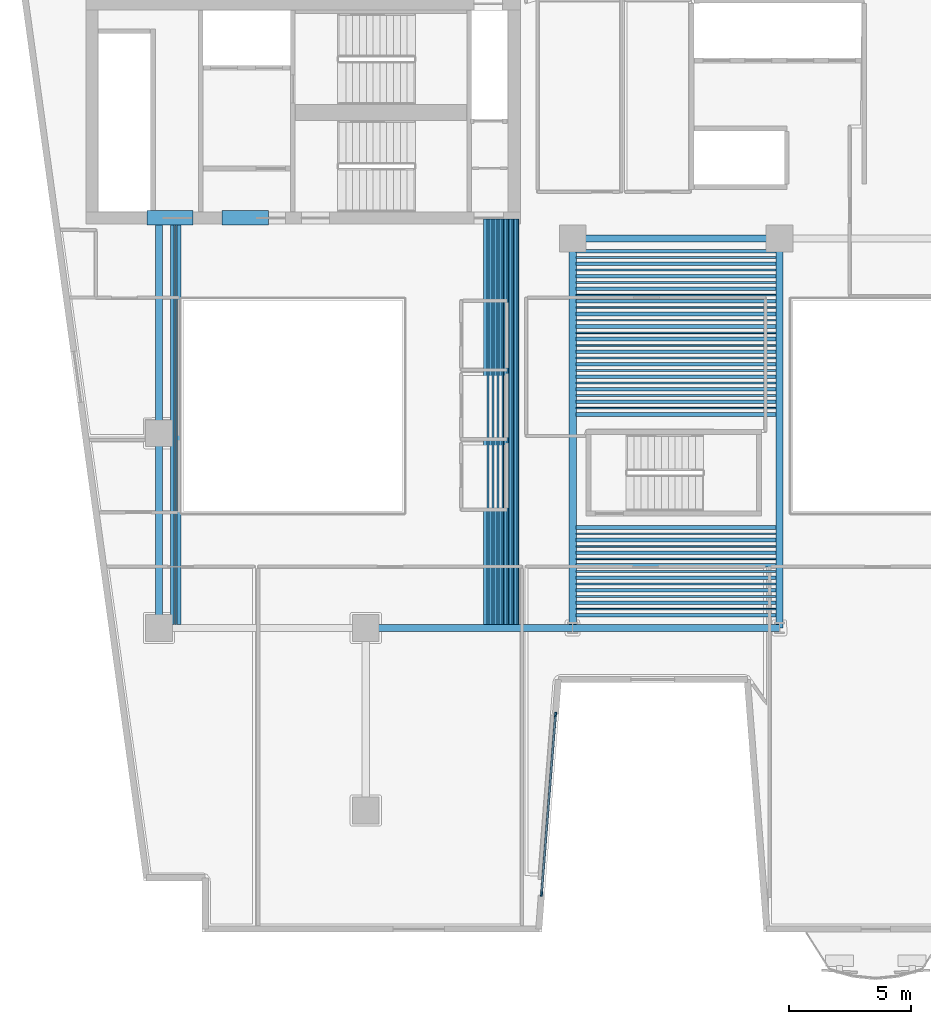
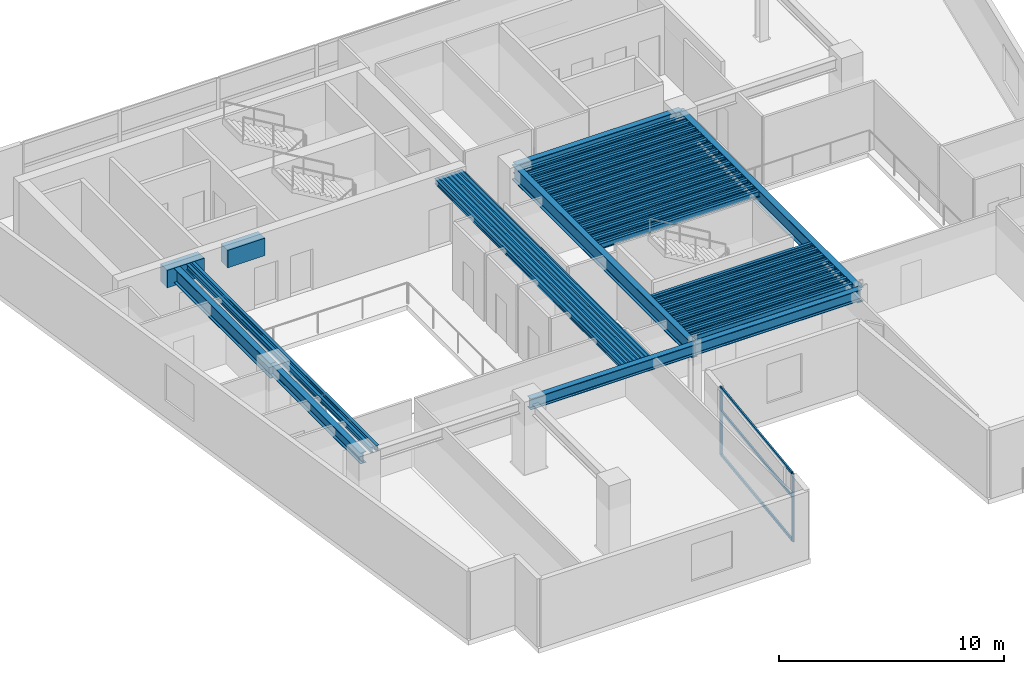
# One storey, part 2 of 13: 68 beams, 5 members, 1 element without a shape of its own.
"""IFC4 building model written with IfcOpenShell, lengths in metres."""

from ifc_helpers import new_model, si_unit, direction, frame, origin, origin_2d, place, context, subcontext, project, spatial, rectangle, hollow_rectangle, i_section, extrude, material, layer, layer_set, material_profile, profile_set, type_object, element, aggregate, save


model = new_model("IFC4")

# Units and contexts
model_context = context("Model", 3, precision=1e-05, world=origin(), true_north=direction((0.0, 1.0)))
body_context = subcontext(model_context, "Body", "Model", "MODEL_VIEW")
ifc_project = project(units=[si_unit("LENGTHUNIT", "METRE"), si_unit("AREAUNIT", "SQUARE_METRE"), si_unit("VOLUMEUNIT", "CUBIC_METRE"), si_unit("PLANEANGLEUNIT", "RADIAN"), si_unit("MASSUNIT", "GRAM", prefix="KILO")], contexts=[model_context])

# Site, building, storey
site_placement = place(None, origin())
site = spatial("IfcSite", under=ifc_project, at=site_placement, CompositionType="ELEMENT")
building_placement = place(site_placement, origin())
building = spatial("IfcBuilding", under=site, at=building_placement, Name="Caeloran Harvest Quay", CompositionType="ELEMENT")
storey_placement = place(building_placement, frame((0.0, 0.0, 127.199951171875)))
storey = spatial("IfcBuildingStorey", under=building, at=storey_placement, Name="L29", CompositionType="ELEMENT", Elevation=127.199951171875)

# Beams
ifc_material_1 = material(Name="Concrete C60/75", Category="concrete")
ifc_material_profile_1 = material_profile(ifc_material_1, rectangle(XDim=0.60009765625, YDim=0.949951171875, at=origin_2d()), Name="RC 600x950")
ifc_profile_set_1 = profile_set([ifc_material_profile_1], Name="Concrete C60/75")
beam_type_1 = type_object("IfcBeamType", Name="BM-CB-2-RC_600x950", PredefinedType="LINTEL", material=ifc_profile_set_1)
for number, where, z_axis, x_axis, name in (
    (1, (8.0, 31.85009765625, 3.215087890625), (1.0, 0.0, 0.0), (0.0, 1.0, 0.0), "L29 Core Coupling Beam 1"),
    (2, (11.10009765625, 31.85009765625, 3.215087890625), (1.0, 0.0, 0.0), (0.0, 1.0, 0.0), "L29 Core Coupling Beam 2"),
):
    element("IfcBeam", number, at=place(storey_placement, frame(where, z_axis=z_axis, x_axis=x_axis)), inside=storey, type_object=beam_type_1, Name=name, PredefinedType="LINTEL", context=body_context, shape_type="SweptSolid", body=[
        extrude(rectangle(XDim=0.60009765625, YDim=0.949951171875, at=origin_2d()), origin(), (0.0, 0.0, 1.0), 1.89990234375),
    ])
ifc_material_2 = material(Name="Steel S355J2", Category="steel")
ifc_material_profile_2 = material_profile(ifc_material_2, i_section(OverallWidth=0.300048828125, OverallDepth=0.800048828125, WebThickness=0.017578125, FlangeThickness=0.032958984375, FilletRadius=0.030029296875, at=origin_2d()), Name="HE 800 B")
ifc_profile_set_2 = profile_set([ifc_material_profile_2], Name="Steel S355J2")
beam_type_2 = type_object("IfcBeamType", Name="BM-PG-1-HE_800_B", PredefinedType="BEAM", material=ifc_profile_set_2)
beam_1_placement = place(storey_placement, frame((8.5, 23.0, 3.2900390625), z_axis=(0.0, 1.0, 0.0), x_axis=(-1.0, 0.0, 0.0)))
element("IfcBeam", 3, at=beam_1_placement, inside=storey, type_object=beam_type_2, Name="L29 Core South Tie Girder X=8.5", PredefinedType="BEAM", context=body_context, shape_type="SweptSolid", body=[
    extrude(i_section(OverallWidth=0.300048828125, OverallDepth=0.800048828125, WebThickness=0.017578125, FlangeThickness=0.032958984375, FilletRadius=0.030029296875, at=origin_2d()), origin(), (0.0, 0.0, 1.0), 8.800048828125),
])
for number, where, z_axis, x_axis, name in (
    (4, (25.5, 15.0, 3.2900390625), (0.0, 1.0, 0.0), (-1.0, 0.0, 0.0), "L29 Primary North-South Girder X=25.5"),
    (5, (34.0, 15.0, 3.2900390625), (0.0, 1.0, 0.0), (-1.0, 0.0, 0.0), "L29 Primary North-South Girder X=34.0"),
):
    element("IfcBeam", number, at=place(storey_placement, frame(where, z_axis=z_axis, x_axis=x_axis)), inside=storey, type_object=beam_type_2, Name=name, PredefinedType="BEAM", context=body_context, shape_type="SweptSolid", body=[
        extrude(i_section(OverallWidth=0.300048828125, OverallDepth=0.800048828125, WebThickness=0.017578125, FlangeThickness=0.032958984375, FilletRadius=0.030029296875, at=origin_2d()), origin(), (0.0, 0.0, 1.0), 16.0),
    ])
ifc_material_profile_3 = material_profile(ifc_material_2, i_section(OverallWidth=0.300048828125, OverallDepth=0.60009765625, WebThickness=0.015380859375, FlangeThickness=0.030029296875, FilletRadius=0.027099609375, at=origin_2d()), Name="HE 600 B")
ifc_profile_set_3 = profile_set([ifc_material_profile_3], Name="Steel S355J2")
beam_type_3 = type_object("IfcBeamType", Name="BM-PG-3-HE_600_B", PredefinedType="BEAM", material=ifc_profile_set_3)
for number, where, z_axis, x_axis, name in (
    (6, (17.0, 15.0, 3.39013671875), (1.0, 0.0, 0.0), (0.0, 1.0, 0.0), "L29 Primary East-West Girder Y=15.0"),
    (7, (25.5, 15.0, 3.39013671875), (1.0, 0.0, 0.0), (0.0, 1.0, 0.0), "L29 Primary East-West Girder Y=15.0"),
    (8, (25.5, 31.0, 3.39013671875), (1.0, 0.0, 0.0), (0.0, 1.0, 0.0), "L29 Primary East-West Girder Y=31.0"),
):
    element("IfcBeam", number, at=place(storey_placement, frame(where, z_axis=z_axis, x_axis=x_axis)), inside=storey, type_object=beam_type_3, Name=name, PredefinedType="BEAM", context=body_context, shape_type="SweptSolid", body=[
        extrude(i_section(OverallWidth=0.300048828125, OverallDepth=0.60009765625, WebThickness=0.015380859375, FlangeThickness=0.030029296875, FilletRadius=0.027099609375, at=origin_2d()), origin(), (0.0, 0.0, 1.0), 8.5),
    ])
beam_2_placement = place(storey_placement, frame((8.5, 15.0, 3.39013671875), z_axis=(0.0, 1.0, 0.0), x_axis=(-1.0, 0.0, 0.0)))
element("IfcBeam", 9, at=beam_2_placement, inside=storey, type_object=beam_type_3, Name="L29 Primary North-South Girder X=8.5", PredefinedType="BEAM", context=body_context, shape_type="SweptSolid", body=[
    extrude(i_section(OverallWidth=0.300048828125, OverallDepth=0.60009765625, WebThickness=0.015380859375, FlangeThickness=0.030029296875, FilletRadius=0.027099609375, at=origin_2d()), origin(), (0.0, 0.0, 1.0), 8.0),
])
ifc_material_profile_4 = material_profile(ifc_material_2, i_section(OverallWidth=0.14990234375, OverallDepth=0.300048828125, WebThickness=0.007080078125, FlangeThickness=0.0107421875, FilletRadius=0.014892578125, at=origin_2d()), Name="IPE 300")
ifc_profile_set_4 = profile_set([ifc_material_profile_4], Name="Steel S355J2")
beam_type_4 = type_object("IfcBeamType", Name="BM-SB-6-IPE_300", PredefinedType="JOIST", material=ifc_profile_set_4)
for number, where, z_axis, x_axis, name in (
    (10, (9.04833984375, 15.14501953125, 3.5400390625), (0.0, 1.0, 0.0), (-1.0, 0.0, 0.0), "L29 Secondary Composite Joist"),
    (11, (9.322509765625, 15.14501953125, 3.5400390625), (0.0, 1.0, 0.0), (-1.0, 0.0, 0.0), "L29 Secondary Composite Joist"),
    (12, (21.916015625, 15.14501953125, 3.5400390625), (0.0, 1.0, 0.0), (-1.0, 0.0, 0.0), "L29 Secondary Composite Joist"),
    (13, (22.12109375, 15.14501953125, 3.5400390625), (0.0, 1.0, 0.0), (-1.0, 0.0, 0.0), "L29 Secondary Composite Joist"),
    (14, (22.32568359375, 15.14501953125, 3.5400390625), (0.0, 1.0, 0.0), (-1.0, 0.0, 0.0), "L29 Secondary Composite Joist"),
    (15, (22.530517578125, 15.14501953125, 3.5400390625), (0.0, 1.0, 0.0), (-1.0, 0.0, 0.0), "L29 Secondary Composite Joist"),
    (16, (22.735595703125, 15.14501953125, 3.5400390625), (0.0, 1.0, 0.0), (-1.0, 0.0, 0.0), "L29 Secondary Composite Joist"),
    (17, (22.940185546875, 15.14501953125, 3.5400390625), (0.0, 1.0, 0.0), (-1.0, 0.0, 0.0), "L29 Secondary Composite Joist"),
    (18, (23.145263671875, 15.14501953125, 3.5400390625), (0.0, 1.0, 0.0), (-1.0, 0.0, 0.0), "L29 Secondary Composite Joist"),
):
    element("IfcBeam", number, at=place(storey_placement, frame(where, z_axis=z_axis, x_axis=x_axis)), inside=storey, type_object=beam_type_4, Name=name, PredefinedType="JOIST", context=body_context, shape_type="SweptSolid", body=[
        extrude(i_section(OverallWidth=0.14990234375, OverallDepth=0.300048828125, WebThickness=0.007080078125, FlangeThickness=0.0107421875, FilletRadius=0.014892578125, at=origin_2d()), origin(), (0.0, 0.0, 1.0), 16.655029296875),
    ])
for number, where, z_axis, x_axis, name in (
    (19, (25.64501953125, 15.51611328125, 3.5400390625), (1.0, 0.0, 0.0), (0.0, 1.0, 0.0), "L29 Secondary East-West Composite Joist"),
    (20, (25.64501953125, 16.0322265625, 3.5400390625), (1.0, 0.0, 0.0), (0.0, 1.0, 0.0), "L29 Secondary East-West Composite Joist"),
    (21, (25.64501953125, 16.54833984375, 3.5400390625), (1.0, 0.0, 0.0), (0.0, 1.0, 0.0), "L29 Secondary East-West Composite Joist"),
    (22, (25.64501953125, 17.064453125, 3.5400390625), (1.0, 0.0, 0.0), (0.0, 1.0, 0.0), "L29 Secondary East-West Composite Joist"),
    (23, (25.64501953125, 17.58056640625, 3.5400390625), (1.0, 0.0, 0.0), (0.0, 1.0, 0.0), "L29 Secondary East-West Composite Joist"),
    (24, (25.64501953125, 18.0966796875, 3.5400390625), (1.0, 0.0, 0.0), (0.0, 1.0, 0.0), "L29 Secondary East-West Composite Joist"),
    (25, (25.64501953125, 18.61279296875, 3.5400390625), (1.0, 0.0, 0.0), (0.0, 1.0, 0.0), "L29 Secondary East-West Composite Joist"),
    (26, (25.64501953125, 19.12890625, 3.5400390625), (1.0, 0.0, 0.0), (0.0, 1.0, 0.0), "L29 Secondary East-West Composite Joist"),
    (27, (25.64501953125, 23.774169921875, 3.5400390625), (1.0, 0.0, 0.0), (0.0, 1.0, 0.0), "L29 Secondary East-West Composite Joist"),
    (28, (25.64501953125, 24.290283203125, 3.5400390625), (1.0, 0.0, 0.0), (0.0, 1.0, 0.0), "L29 Secondary East-West Composite Joist"),
    (29, (25.64501953125, 24.806396484375, 3.5400390625), (1.0, 0.0, 0.0), (0.0, 1.0, 0.0), "L29 Secondary East-West Composite Joist"),
    (30, (25.64501953125, 25.322509765625, 3.5400390625), (1.0, 0.0, 0.0), (0.0, 1.0, 0.0), "L29 Secondary East-West Composite Joist"),
    (31, (25.64501953125, 25.838623046875, 3.5400390625), (1.0, 0.0, 0.0), (0.0, 1.0, 0.0), "L29 Secondary East-West Composite Joist"),
    (32, (25.64501953125, 26.354736328125, 3.5400390625), (1.0, 0.0, 0.0), (0.0, 1.0, 0.0), "L29 Secondary East-West Composite Joist"),
    (33, (25.64501953125, 26.87109375, 3.5400390625), (1.0, 0.0, 0.0), (0.0, 1.0, 0.0), "L29 Secondary East-West Composite Joist"),
    (34, (25.64501953125, 27.38720703125, 3.5400390625), (1.0, 0.0, 0.0), (0.0, 1.0, 0.0), "L29 Secondary East-West Composite Joist"),
    (35, (25.64501953125, 27.9033203125, 3.5400390625), (1.0, 0.0, 0.0), (0.0, 1.0, 0.0), "L29 Secondary East-West Composite Joist"),
    (36, (25.64501953125, 28.41943359375, 3.5400390625), (1.0, 0.0, 0.0), (0.0, 1.0, 0.0), "L29 Secondary East-West Composite Joist"),
    (37, (25.64501953125, 28.935546875, 3.5400390625), (1.0, 0.0, 0.0), (0.0, 1.0, 0.0), "L29 Secondary East-West Composite Joist"),
    (38, (25.64501953125, 29.45166015625, 3.5400390625), (1.0, 0.0, 0.0), (0.0, 1.0, 0.0), "L29 Secondary East-West Composite Joist"),
    (39, (25.64501953125, 29.9677734375, 3.5400390625), (1.0, 0.0, 0.0), (0.0, 1.0, 0.0), "L29 Secondary East-West Composite Joist"),
    (40, (25.64501953125, 30.48388671875, 3.5400390625), (1.0, 0.0, 0.0), (0.0, 1.0, 0.0), "L29 Secondary East-West Composite Joist"),
):
    element("IfcBeam", number, at=place(storey_placement, frame(where, z_axis=z_axis, x_axis=x_axis)), inside=storey, type_object=beam_type_4, Name=name, PredefinedType="JOIST", context=body_context, shape_type="SweptSolid", body=[
        extrude(i_section(OverallWidth=0.14990234375, OverallDepth=0.300048828125, WebThickness=0.007080078125, FlangeThickness=0.0107421875, FilletRadius=0.014892578125, at=origin_2d()), origin(), (0.0, 0.0, 1.0), 8.2099609375),
    ])
ifc_material_profile_5 = material_profile(ifc_material_2, hollow_rectangle(XDim=0.080078125, YDim=0.199951171875, WallThickness=0.006103515625, InnerFilletRadius=0.006103515625, OuterFilletRadius=0.009033203125, at=origin_2d()), Name="RHS 200x80x6")
ifc_profile_set_5 = profile_set([ifc_material_profile_5], Name="Steel S355J2")
beam_type_5 = type_object("IfcBeamType", Name="BM-SB-7-RHS_200x80x6", PredefinedType="JOIST", material=ifc_profile_set_5)
for number, where, z_axis, x_axis, name in (
    (41, (9.185546875, 15.14501953125, 3.590087890625), (0.0, 1.0, 0.0), (-1.0, 0.0, 0.0), "L29 Secondary Composite Joist"),
    (42, (22.0185546875, 15.14501953125, 3.590087890625), (0.0, 1.0, 0.0), (-1.0, 0.0, 0.0), "L29 Secondary Composite Joist"),
    (43, (22.223388671875, 15.14501953125, 3.590087890625), (0.0, 1.0, 0.0), (-1.0, 0.0, 0.0), "L29 Secondary Composite Joist"),
    (44, (22.42822265625, 15.14501953125, 3.590087890625), (0.0, 1.0, 0.0), (-1.0, 0.0, 0.0), "L29 Secondary Composite Joist"),
    (45, (22.633056640625, 15.14501953125, 3.590087890625), (0.0, 1.0, 0.0), (-1.0, 0.0, 0.0), "L29 Secondary Composite Joist"),
    (46, (22.837890625, 15.14501953125, 3.590087890625), (0.0, 1.0, 0.0), (-1.0, 0.0, 0.0), "L29 Secondary Composite Joist"),
    (47, (23.042724609375, 15.14501953125, 3.590087890625), (0.0, 1.0, 0.0), (-1.0, 0.0, 0.0), "L29 Secondary Composite Joist"),
    (48, (23.24755859375, 15.14501953125, 3.590087890625), (0.0, 1.0, 0.0), (-1.0, 0.0, 0.0), "L29 Secondary Composite Joist"),
):
    element("IfcBeam", number, at=place(storey_placement, frame(where, z_axis=z_axis, x_axis=x_axis)), inside=storey, type_object=beam_type_5, Name=name, PredefinedType="JOIST", context=body_context, shape_type="SweptSolid", body=[
        extrude(hollow_rectangle(XDim=0.080078125, YDim=0.199951171875, WallThickness=0.006103515625, InnerFilletRadius=0.006103515625, OuterFilletRadius=0.009033203125, at=origin_2d()), origin(), (0.0, 0.0, 1.0), 16.655029296875),
    ])
for number, where, z_axis, x_axis, name in (
    (49, (25.64501953125, 15.774169921875, 3.590087890625), (1.0, 0.0, 0.0), (0.0, 1.0, 0.0), "L29 Secondary East-West Composite Joist"),
    (50, (25.64501953125, 16.290283203125, 3.590087890625), (1.0, 0.0, 0.0), (0.0, 1.0, 0.0), "L29 Secondary East-West Composite Joist"),
    (51, (25.64501953125, 16.806396484375, 3.590087890625), (1.0, 0.0, 0.0), (0.0, 1.0, 0.0), "L29 Secondary East-West Composite Joist"),
    (52, (25.64501953125, 17.322509765625, 3.590087890625), (1.0, 0.0, 0.0), (0.0, 1.0, 0.0), "L29 Secondary East-West Composite Joist"),
    (53, (25.64501953125, 17.838623046875, 3.590087890625), (1.0, 0.0, 0.0), (0.0, 1.0, 0.0), "L29 Secondary East-West Composite Joist"),
    (54, (25.64501953125, 18.354736328125, 3.590087890625), (1.0, 0.0, 0.0), (0.0, 1.0, 0.0), "L29 Secondary East-West Composite Joist"),
    (55, (25.64501953125, 18.87109375, 3.590087890625), (1.0, 0.0, 0.0), (0.0, 1.0, 0.0), "L29 Secondary East-West Composite Joist"),
    (56, (25.64501953125, 24.0322265625, 3.590087890625), (1.0, 0.0, 0.0), (0.0, 1.0, 0.0), "L29 Secondary East-West Composite Joist"),
    (57, (25.64501953125, 24.54833984375, 3.590087890625), (1.0, 0.0, 0.0), (0.0, 1.0, 0.0), "L29 Secondary East-West Composite Joist"),
    (58, (25.64501953125, 25.064453125, 3.590087890625), (1.0, 0.0, 0.0), (0.0, 1.0, 0.0), "L29 Secondary East-West Composite Joist"),
    (59, (25.64501953125, 25.58056640625, 3.590087890625), (1.0, 0.0, 0.0), (0.0, 1.0, 0.0), "L29 Secondary East-West Composite Joist"),
    (60, (25.64501953125, 26.0966796875, 3.590087890625), (1.0, 0.0, 0.0), (0.0, 1.0, 0.0), "L29 Secondary East-West Composite Joist"),
    (61, (25.64501953125, 26.61279296875, 3.590087890625), (1.0, 0.0, 0.0), (0.0, 1.0, 0.0), "L29 Secondary East-West Composite Joist"),
    (62, (25.64501953125, 27.12890625, 3.590087890625), (1.0, 0.0, 0.0), (0.0, 1.0, 0.0), "L29 Secondary East-West Composite Joist"),
    (63, (25.64501953125, 27.645263671875, 3.590087890625), (1.0, 0.0, 0.0), (0.0, 1.0, 0.0), "L29 Secondary East-West Composite Joist"),
    (64, (25.64501953125, 28.161376953125, 3.590087890625), (1.0, 0.0, 0.0), (0.0, 1.0, 0.0), "L29 Secondary East-West Composite Joist"),
    (65, (25.64501953125, 28.677490234375, 3.590087890625), (1.0, 0.0, 0.0), (0.0, 1.0, 0.0), "L29 Secondary East-West Composite Joist"),
    (66, (25.64501953125, 29.193603515625, 3.590087890625), (1.0, 0.0, 0.0), (0.0, 1.0, 0.0), "L29 Secondary East-West Composite Joist"),
    (67, (25.64501953125, 29.709716796875, 3.590087890625), (1.0, 0.0, 0.0), (0.0, 1.0, 0.0), "L29 Secondary East-West Composite Joist"),
    (68, (25.64501953125, 30.225830078125, 3.590087890625), (1.0, 0.0, 0.0), (0.0, 1.0, 0.0), "L29 Secondary East-West Composite Joist"),
):
    element("IfcBeam", number, at=place(storey_placement, frame(where, z_axis=z_axis, x_axis=x_axis)), inside=storey, type_object=beam_type_5, Name=name, PredefinedType="JOIST", context=body_context, shape_type="SweptSolid", body=[
        extrude(hollow_rectangle(XDim=0.080078125, YDim=0.199951171875, WallThickness=0.006103515625, InnerFilletRadius=0.006103515625, OuterFilletRadius=0.009033203125, at=origin_2d()), origin(), (0.0, 0.0, 1.0), 8.2099609375),
    ])

# Curtain wall, members
ifc_material_3 = material(Name="Aluminium 6063-T6 and Low-E Glazing", Category="aluminium")
ifc_layer = layer(ifc_material_3, 0.18994140625, Name="Aluminium 6063-T6 and Low-E Glazing")
ifc_layer_set = layer_set([ifc_layer], Name="Aluminium 6063-T6 and Low-E Glazing")
curtain_wall_type = type_object("IfcCurtainWallType", Name="CW-SYS-CW-3", PredefinedType="USERDEFINED", material=ifc_layer_set)
curtain_wall_placement = place(storey_placement, origin())
curtain_wall = element("IfcCurtainWall", 69, at=curtain_wall_placement, inside=storey, type_object=curtain_wall_type, Name="L29 Unitised Curtain Wall CW-3 Run 15", ObjectType="CURTAIN_WALL", PredefinedType="USERDEFINED")
ifc_material_4 = material(Name="Aluminium 6063-T6", Category="aluminium")
ifc_material_profile_6 = material_profile(ifc_material_4, rectangle(XDim=0.080078125, YDim=0.179931640625, at=origin_2d()), Name="CW-MULLION-180")
ifc_profile_set_6 = profile_set([ifc_material_profile_6], Name="Aluminium 6063-T6")
member_type_1 = type_object("IfcMemberType", Name="CW-MULLION-180", PredefinedType="MULLION", material=ifc_profile_set_6)
member_1_placement = place(storey_placement, frame((24.7978515625, 11.4443359375, 0.0), z_axis=(0.0, 0.0, 1.0), x_axis=(0.996967280277, -0.077821861046, 0.0)))
member_1 = element("IfcMember", 70, at=member_1_placement, type_object=member_type_1, Name="CW-3 mullion 1", PredefinedType="MULLION", context=body_context, shape_type="SweptSolid", body=[
    extrude(rectangle(XDim=0.080078125, YDim=0.179931640625, at=origin_2d()), origin(), (0.0, 0.0, 1.0), 3.68994140625),
])
member_2_placement = place(storey_placement, frame((24.221923828125, 4.065673828125, 0.0), z_axis=(0.0, 0.0, 1.0), x_axis=(0.996967280277, -0.077821861046, 0.0)))
member_2 = element("IfcMember", 71, at=member_2_placement, type_object=member_type_1, Name="CW-3 mullion 2", PredefinedType="MULLION", context=body_context, shape_type="SweptSolid", body=[
    extrude(rectangle(XDim=0.080078125, YDim=0.179931640625, at=origin_2d()), origin(), (0.0, 0.0, 1.0), 3.68994140625),
])
ifc_material_profile_7 = material_profile(ifc_material_4, rectangle(XDim=0.080078125, YDim=0.14990234375, at=origin_2d()), Name="CW-TRANSOM-150")
ifc_profile_set_7 = profile_set([ifc_material_profile_7], Name="Aluminium 6063-T6")
member_type_2 = type_object("IfcMemberType", Name="CW-TRANSOM-150", PredefinedType="USERDEFINED", material=ifc_profile_set_7)
member_3_placement = place(storey_placement, frame((24.794677734375, 11.404541015625, 0.0400390625), z_axis=(-0.077831218093, -0.996966549835, 0.0), x_axis=(0.996966549835, -0.077831218093, 0.0)))
member_3 = element("IfcMember", 72, at=member_3_placement, type_object=member_type_2, Name="CW-3 transom 1.1", ObjectType="TRANSOM", PredefinedType="USERDEFINED", context=body_context, shape_type="SweptSolid", body=[
    extrude(rectangle(XDim=0.080078125, YDim=0.14990234375, at=origin_2d()), origin(), (0.0, 0.0, 1.0), 7.3212890625),
])
member_4_placement = place(storey_placement, frame((24.794677734375, 11.404541015625, 2.400146484375), z_axis=(-0.077831218093, -0.996966549835, 0.0), x_axis=(0.996966549835, -0.077831218093, 0.0)))
member_4 = element("IfcMember", 73, at=member_4_placement, type_object=member_type_2, Name="CW-3 transom 1.2", ObjectType="TRANSOM", PredefinedType="USERDEFINED", context=body_context, shape_type="SweptSolid", body=[
    extrude(rectangle(XDim=0.080078125, YDim=0.14990234375, at=origin_2d()), origin(), (0.0, 0.0, 1.0), 7.3212890625),
])
member_5_placement = place(storey_placement, frame((24.794677734375, 11.404541015625, 3.650146484375), z_axis=(-0.077831218093, -0.996966549835, 0.0), x_axis=(0.996966549835, -0.077831218093, 0.0)))
member_5 = element("IfcMember", 74, at=member_5_placement, type_object=member_type_2, Name="CW-3 transom 1.3", ObjectType="TRANSOM", PredefinedType="USERDEFINED", context=body_context, shape_type="SweptSolid", body=[
    extrude(rectangle(XDim=0.080078125, YDim=0.14990234375, at=origin_2d()), origin(), (0.0, 0.0, 1.0), 7.3212890625),
])
aggregate(curtain_wall, [member_1, member_2, member_3, member_4, member_5])

save(model, "model.ifc")
